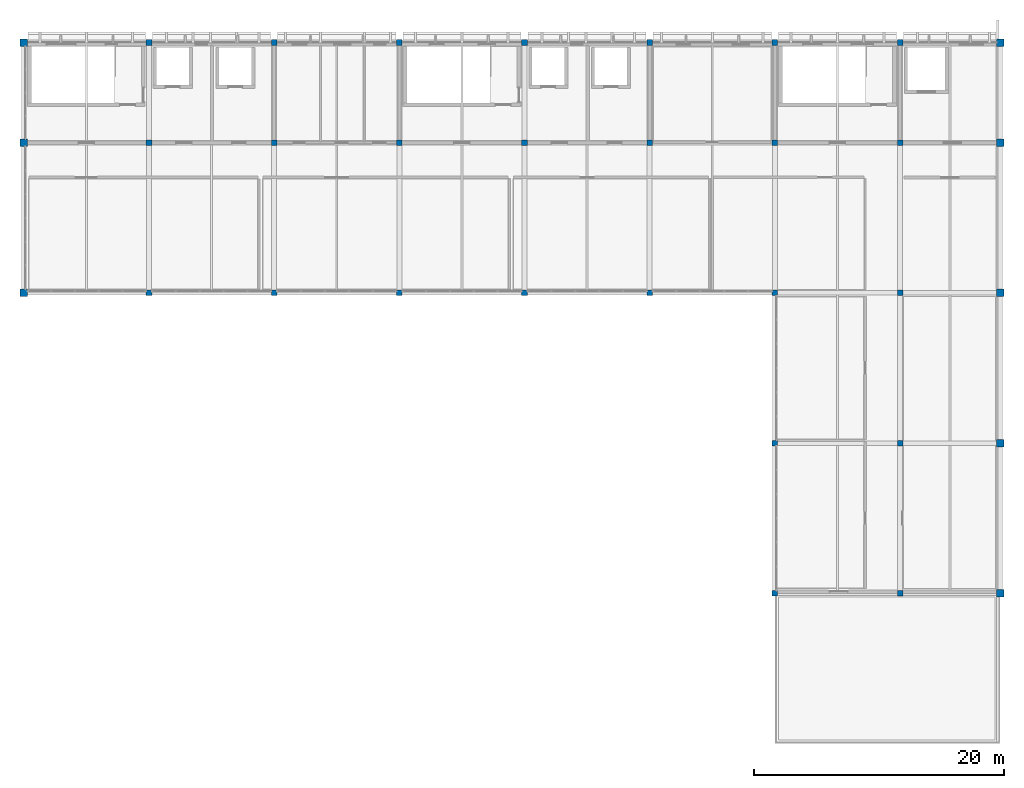
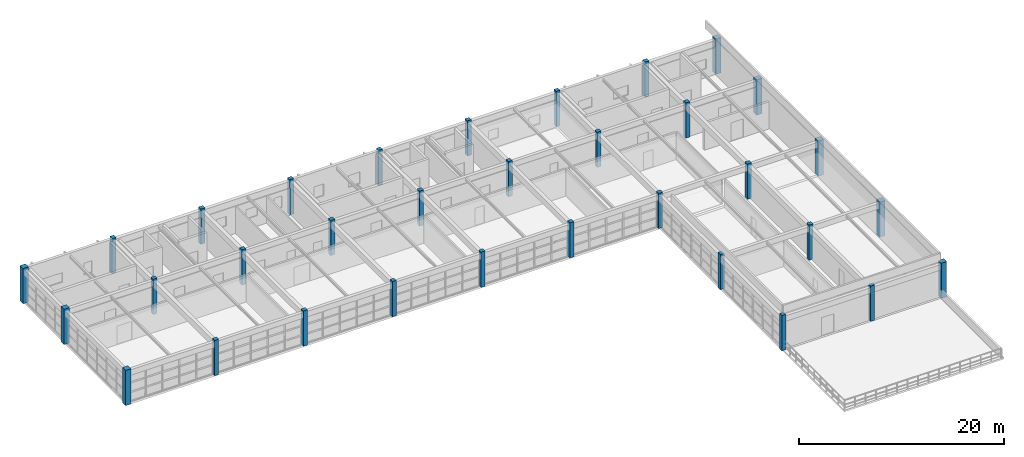
# One storey, part 1 of 16: 33 columns.
"""IFC4 building model written with IfcOpenShell, lengths in metres."""

from ifc_helpers import new_model, si_unit, direction, frame, origin, origin_2d, place, context, subcontext, project, spatial, rectangle, extrude, material, material_profile, profile_set, type_object, element, save


model = new_model("IFC4")

# Units and contexts
model_context = context("Model", 3, precision=1e-05, world=origin(), true_north=direction((0.0, 1.0)))
body_context = subcontext(model_context, "Body", "Model", "MODEL_VIEW")
ifc_project = project(units=[si_unit("LENGTHUNIT", "METRE"), si_unit("AREAUNIT", "SQUARE_METRE"), si_unit("VOLUMEUNIT", "CUBIC_METRE"), si_unit("PLANEANGLEUNIT", "RADIAN"), si_unit("MASSUNIT", "GRAM", prefix="KILO")], contexts=[model_context])

# Site, building, storey
site_placement = place(None, origin())
site = spatial("IfcSite", under=ifc_project, at=site_placement, CompositionType="ELEMENT")
building_placement = place(site_placement, origin())
building = spatial("IfcBuilding", under=site, at=building_placement, Name="Kivolera Central Railway Station", CompositionType="ELEMENT")
storey_placement = place(building_placement, frame((0.0, 0.0, 27.0)))
storey = spatial("IfcBuildingStorey", under=building, at=storey_placement, Name="L06", CompositionType="ELEMENT", Elevation=27.0)

# Columns
ifc_material = material(Name="Concrete C40/50", Category="concrete")
ifc_material_profile_1 = material_profile(ifc_material, rectangle(XDim=0.449951171875, YDim=0.449951171875, at=origin_2d()), Name="RC 450x450")
ifc_profile_set_1 = profile_set([ifc_material_profile_1], Name="Concrete C40/50")
column_type_1 = type_object("IfcColumnType", Name="COL-RC-450", PredefinedType="COLUMN", material=ifc_profile_set_1)
for number, where, z_axis, x_axis, name in (
    (1, (128.0, 114.0, 0.0), (0.0, 0.0, 1.0), (1.0, 0.0, 0.0), "L06 Wing Column 13-K"),
    (2, (128.0, 126.0, 0.0), (0.0, 0.0, 1.0), (1.0, 0.0, 0.0), "L06 Wing Column 13-L"),
    (3, (128.0, 134.0, 0.0), (0.0, 0.0, 1.0), (1.0, 0.0, 0.0), "L06 Wing Column 13-M"),
    (4, (138.0, 114.0, 0.0), (0.0, 0.0, 1.0), (1.0, 0.0, 0.0), "L06 Wing Column 14-K"),
    (5, (138.0, 126.0, 0.0), (0.0, 0.0, 1.0), (1.0, 0.0, 0.0), "L06 Wing Column 14-L"),
    (6, (138.0, 134.0, 0.0), (0.0, 0.0, 1.0), (1.0, 0.0, 0.0), "L06 Wing Column 14-M"),
    (7, (148.0, 114.0, 0.0), (0.0, 0.0, 1.0), (1.0, 0.0, 0.0), "L06 Wing Column 15-K"),
    (8, (148.0, 126.0, 0.0), (0.0, 0.0, 1.0), (1.0, 0.0, 0.0), "L06 Wing Column 15-L"),
    (9, (148.0, 134.0, 0.0), (0.0, 0.0, 1.0), (1.0, 0.0, 0.0), "L06 Wing Column 15-M"),
    (10, (158.0, 114.0, 0.0), (0.0, 0.0, 1.0), (1.0, 0.0, 0.0), "L06 Wing Column 16-K"),
    (11, (158.0, 126.0, 0.0), (0.0, 0.0, 1.0), (1.0, 0.0, 0.0), "L06 Wing Column 16-L"),
    (12, (158.0, 134.0, 0.0), (0.0, 0.0, 1.0), (1.0, 0.0, 0.0), "L06 Wing Column 16-M"),
    (13, (168.0, 114.0, 0.0), (0.0, 0.0, 1.0), (1.0, 0.0, 0.0), "L06 Wing Column 17-K"),
    (14, (168.0, 126.0, 0.0), (0.0, 0.0, 1.0), (1.0, 0.0, 0.0), "L06 Wing Column 17-L"),
    (15, (168.0, 134.0, 0.0), (0.0, 0.0, 1.0), (1.0, 0.0, 0.0), "L06 Wing Column 17-M"),
    (16, (178.0, 90.0, 0.0), (0.0, 0.0, 1.0), (1.0, 0.0, 0.0), "L06 Wing Column 18-H"),
    (17, (178.0, 102.0, 0.0), (0.0, 0.0, 1.0), (1.0, 0.0, 0.0), "L06 Wing Column 18-J"),
    (18, (178.0, 114.0, 0.0), (0.0, 0.0, 1.0), (1.0, 0.0, 0.0), "L06 Wing Column 18-K"),
    (19, (178.0, 126.0, 0.0), (0.0, 0.0, 1.0), (1.0, 0.0, 0.0), "L06 Wing Column 18-L"),
    (20, (178.0, 134.0, 0.0), (0.0, 0.0, 1.0), (1.0, 0.0, 0.0), "L06 Wing Column 18-M"),
    (21, (188.0, 90.0, 0.0), (0.0, 0.0, 1.0), (1.0, 0.0, 0.0), "L06 Wing Column 19-H"),
    (22, (188.0, 102.0, 0.0), (0.0, 0.0, 1.0), (1.0, 0.0, 0.0), "L06 Wing Column 19-J"),
    (23, (188.0, 114.0, 0.0), (0.0, 0.0, 1.0), (1.0, 0.0, 0.0), "L06 Wing Column 19-K"),
    (24, (188.0, 126.0, 0.0), (0.0, 0.0, 1.0), (1.0, 0.0, 0.0), "L06 Wing Column 19-L"),
    (25, (188.0, 134.0, 0.0), (0.0, 0.0, 1.0), (1.0, 0.0, 0.0), "L06 Wing Column 19-M"),
):
    element("IfcColumn", number, at=place(storey_placement, frame(where, z_axis=z_axis, x_axis=x_axis)), inside=storey, type_object=column_type_1, Name=name, PredefinedType="COLUMN", context=body_context, shape_type="SweptSolid", body=[
        extrude(rectangle(XDim=0.449951171875, YDim=0.449951171875, at=origin_2d()), origin(), (0.0, 0.0, 1.0), 4.199951171875),
    ])
ifc_material_profile_2 = material_profile(ifc_material, rectangle(XDim=0.60009765625, YDim=0.60009765625, at=origin_2d()), Name="RC 600x600")
ifc_profile_set_2 = profile_set([ifc_material_profile_2], Name="Concrete C40/50")
column_type_2 = type_object("IfcColumnType", Name="COL-RC-600", PredefinedType="COLUMN", material=ifc_profile_set_2)
for number, where, z_axis, x_axis, name in (
    (26, (118.0, 114.0, 0.0), (0.0, 0.0, 1.0), (1.0, 0.0, 0.0), "L06 Wing Column 12-K"),
    (27, (118.0, 126.0, 0.0), (0.0, 0.0, 1.0), (1.0, 0.0, 0.0), "L06 Wing Column 12-L"),
    (28, (118.0, 134.0, 0.0), (0.0, 0.0, 1.0), (1.0, 0.0, 0.0), "L06 Wing Column 12-M"),
    (29, (196.0, 90.0, 0.0), (0.0, 0.0, 1.0), (1.0, 0.0, 0.0), "L06 Wing Column 20-H"),
    (30, (196.0, 102.0, 0.0), (0.0, 0.0, 1.0), (1.0, 0.0, 0.0), "L06 Wing Column 20-J"),
    (31, (196.0, 114.0, 0.0), (0.0, 0.0, 1.0), (1.0, 0.0, 0.0), "L06 Wing Column 20-K"),
    (32, (196.0, 126.0, 0.0), (0.0, 0.0, 1.0), (1.0, 0.0, 0.0), "L06 Wing Column 20-L"),
    (33, (196.0, 134.0, 0.0), (0.0, 0.0, 1.0), (1.0, 0.0, 0.0), "L06 Wing Column 20-M"),
):
    element("IfcColumn", number, at=place(storey_placement, frame(where, z_axis=z_axis, x_axis=x_axis)), inside=storey, type_object=column_type_2, Name=name, PredefinedType="COLUMN", context=body_context, shape_type="SweptSolid", body=[
        extrude(rectangle(XDim=0.60009765625, YDim=0.60009765625, at=origin_2d()), origin(), (0.0, 0.0, 1.0), 4.199951171875),
    ])

save(model, "model.ifc")
